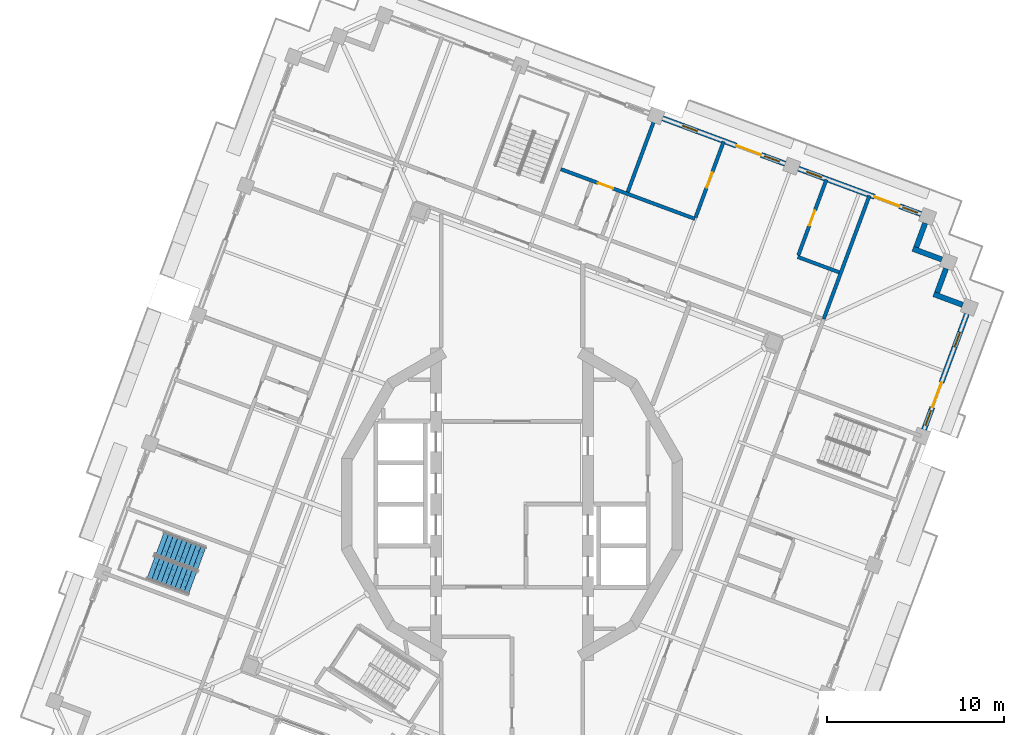
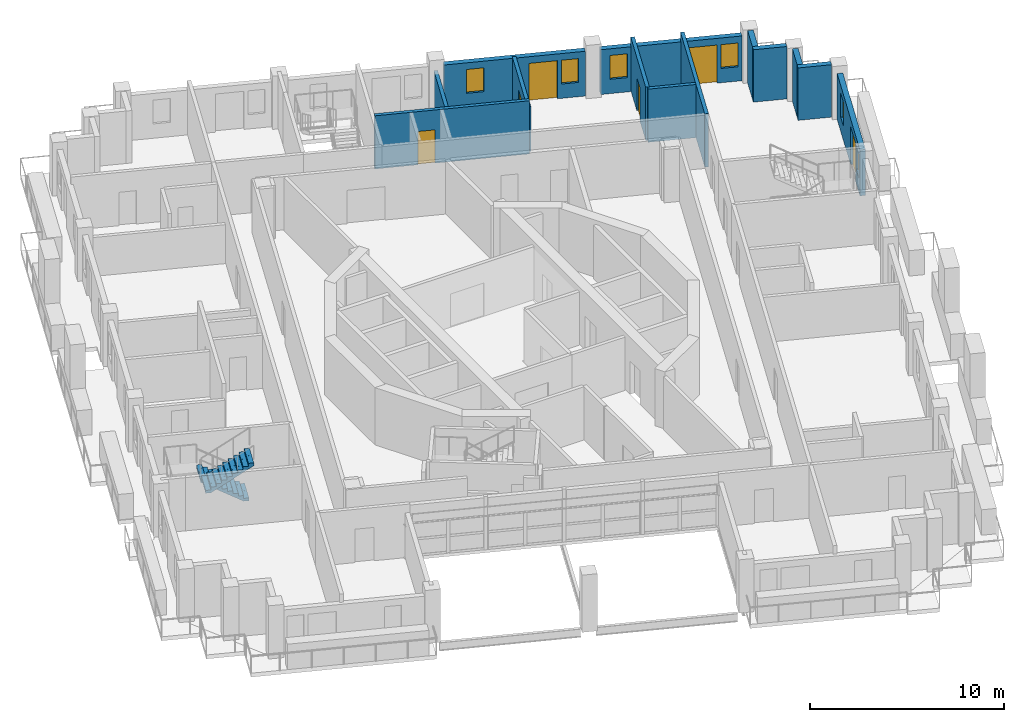
# One storey, part 11 of 19: 13 walls, 6 doors, 6 windows, 2 stair flights, 12 openings, 1 element without a shape of its own.
"""IFC4 building model written with IfcOpenShell, lengths in metres."""

from ifc_helpers import new_model, si_unit, direction, frame, frame_2d, origin, place, context, subcontext, project, spatial, polyline, rectangle, outline, extrude, material, layer, layer_set, type_object, element, fill, aggregate, save


model = new_model("IFC4")

# Units and contexts
model_context = context("Model", 3, precision=1e-05, world=origin(), true_north=direction((0.0, 1.0)))
body_context = subcontext(model_context, "Body", "Model", "MODEL_VIEW")
ifc_project = project(units=[si_unit("LENGTHUNIT", "METRE"), si_unit("AREAUNIT", "SQUARE_METRE"), si_unit("VOLUMEUNIT", "CUBIC_METRE"), si_unit("PLANEANGLEUNIT", "RADIAN"), si_unit("MASSUNIT", "GRAM", prefix="KILO")], contexts=[model_context])

# Site, building, storey
site_placement = place(None, origin())
site = spatial("IfcSite", under=ifc_project, at=site_placement, CompositionType="ELEMENT")
building_placement = place(site_placement, origin())
building = spatial("IfcBuilding", under=site, at=building_placement, Name="Cantera Rosa Tower", CompositionType="ELEMENT")
storey_placement = place(building_placement, frame((0.0, 0.0, 324.10009765625)))
storey = spatial("IfcBuildingStorey", under=building, at=storey_placement, Name="L72", CompositionType="ELEMENT", Elevation=324.10009765625)

# Walls
ifc_material_1 = material(Name="Hollow clay masonry with cantera stone cladding", Category="masonry")
ifc_layer_1 = layer(ifc_material_1, 0.300048828125)
ifc_layer_set_1 = layer_set([ifc_layer_1], Name="EW-LOGGIA 300")
wall_type_1 = type_object("IfcWallType", Name="EW-LOGGIA 300", PredefinedType="SOLIDWALL", material=ifc_layer_set_1)
wall_1_placement = place(storey_placement, frame((25.51220703125, 11.288330078125, 0.0), z_axis=(0.0, 0.0, 1.0), x_axis=(-0.937669639538, 0.34752790836, 0.0)))
element("IfcWall", 1, at=wall_1_placement, inside=storey, type_object=wall_type_1, Name="EN-L72-W25a", PredefinedType="SOLIDWALL", context=body_context, shape_type="SweptSolid", body=[
    extrude(rectangle(XDim=1.75, YDim=0.300048828125, at=frame_2d((0.875, 0.0))), origin(), (0.0, 0.0, 1.0), 3.2998046875),
])
wall_2_placement = place(storey_placement, frame((24.06396484375, 11.985107421875, 0.0), z_axis=(0.0, 0.0, 1.0), x_axis=(0.347522732201, 0.937671557958, 0.0)))
element("IfcWall", 2, at=wall_2_placement, inside=storey, type_object=wall_type_1, Name="EN-L72-W25b", PredefinedType="SOLIDWALL", context=body_context, shape_type="SweptSolid", body=[
    extrude(rectangle(XDim=1.449951171875, YDim=0.300048828125, at=frame_2d((0.72509765625, 0.0))), origin(), (0.0, 0.0, 1.0), 3.2998046875),
])
wall_3_placement = place(storey_placement, frame((24.331787109375, 13.858642578125, 0.0), z_axis=(0.0, 0.0, 1.0), x_axis=(-0.937669639538, 0.34752790836, 0.0)))
element("IfcWall", 3, at=wall_3_placement, inside=storey, type_object=wall_type_1, Name="EN-L72-W26a", PredefinedType="SOLIDWALL", context=body_context, shape_type="SweptSolid", body=[
    extrude(rectangle(XDim=1.75, YDim=0.300048828125, at=frame_2d((0.875, 0.0))), origin(), (0.0, 0.0, 1.0), 3.2998046875),
])
wall_4_placement = place(storey_placement, frame((22.883544921875, 14.555419921875, 0.0), z_axis=(0.0, 0.0, 1.0), x_axis=(0.347522732201, 0.937671557958, 0.0)))
element("IfcWall", 4, at=wall_4_placement, inside=storey, type_object=wall_type_1, Name="EN-L72-W26b", PredefinedType="SOLIDWALL", context=body_context, shape_type="SweptSolid", body=[
    extrude(rectangle(XDim=1.449951171875, YDim=0.300048828125, at=frame_2d((0.72509765625, 0.0))), origin(), (0.0, 0.0, 1.0), 3.2998046875),
])

# Wall, openings, windows, door
ifc_material_2 = material(Name="Hollow clay masonry with cantera stone cladding", Category="masonry")
ifc_layer_2 = layer(ifc_material_2, 0.300048828125)
ifc_layer_set_2 = layer_set([ifc_layer_2], Name="EW-LOGGIA 300 H2820")
wall_type_2 = type_object("IfcWallType", Name="EW-LOGGIA 300 H2820", PredefinedType="SOLIDWALL", material=ifc_layer_set_2)
wall_5_placement = place(storey_placement, frame((23.1513671875, 16.428955078125, 0.0), z_axis=(0.0, 0.0, 1.0), x_axis=(-0.937676706507, 0.347508840281, 0.0)))
wall_5 = element("IfcWall", 5, at=wall_5_placement, inside=storey, type_object=wall_type_2, Name="EN-L72-W01", PredefinedType="SOLIDWALL", context=body_context, shape_type="SweptSolid", body=[
    extrude(rectangle(XDim=7.39990234375, YDim=0.300048828125, at=frame_2d((3.699951171875, 0.0))), origin(), (0.0, 0.0, 1.0), 2.81982421875),
])
opening_1_placement = place(wall_5_placement, frame((0.199951171875, 0.0, 0.89990234375)))
opening_1 = element("IfcOpeningElement", 6, at=opening_1_placement, cuts=wall_5, Name="Opening L72-W01", PredefinedType="OPENING", context=body_context, shape_type="SweptSolid", body=[
    extrude(rectangle(XDim=0.89990234375, YDim=1.5, at=frame_2d((0.449951171875, 0.75))), frame((0.0, 0.159912109375, 0.0), z_axis=(0.0, -1.0, 0.0), x_axis=(1.0, 0.0, 0.0)), (0.0, 0.0, 1.0), 0.320068359375),
])
opening_2_placement = place(wall_5_placement, frame((1.300048828125, 0.0, 0.0)))
opening_2 = element("IfcOpeningElement", 7, at=opening_2_placement, cuts=wall_5, Name="Opening L72-TD02", PredefinedType="OPENING", context=body_context, shape_type="SweptSolid", body=[
    extrude(rectangle(XDim=1.5, YDim=2.39990234375, at=frame_2d((0.75, 1.199951171875))), frame((0.0, 0.159912109375, 0.0), z_axis=(0.0, -1.0, 0.0), x_axis=(1.0, 0.0, 0.0)), (0.0, 0.0, 1.0), 0.320068359375),
])
opening_3_placement = place(wall_5_placement, frame((6.0, 0.0, 0.89990234375)))
opening_3 = element("IfcOpeningElement", 8, at=opening_3_placement, cuts=wall_5, Name="Opening L72-W03", PredefinedType="OPENING", context=body_context, shape_type="SweptSolid", body=[
    extrude(rectangle(XDim=0.89990234375, YDim=1.5, at=frame_2d((0.449951171875, 0.75))), frame((0.0, 0.159912109375, 0.0), z_axis=(0.0, -1.0, 0.0), x_axis=(1.0, 0.0, 0.0)), (0.0, 0.0, 1.0), 0.320068359375),
])
ifc_material_3 = material(Name="Aluminium frame with clear glass", Category="aluminium")
window_type = type_object("IfcWindowType", Name="Residential window 900x1500", PartitioningType="SINGLE_PANEL", PredefinedType="WINDOW", material=ifc_material_3)
window_1_placement = place(opening_1_placement, origin())
window_1 = element("IfcWindow", 9, at=window_1_placement, inside=storey, type_object=window_type, Name="WINDOW L72-W01", OverallHeight=1.5, OverallWidth=0.89990234375, PartitioningType="SINGLE_PANEL", PredefinedType="WINDOW", context=body_context, shape_type="SweptSolid", body=[
    extrude(rectangle(XDim=0.89990234375, YDim=1.5, at=frame_2d((0.449951171875, 0.75))), frame((0.0, 0.030029296875, 0.0), z_axis=(0.0, -1.0, 0.0), x_axis=(1.0, 0.0, 0.0)), (0.0, 0.0, 1.0), 0.06005859375),
])
fill(opening_1, window_1)
window_2_placement = place(opening_3_placement, origin())
window_2 = element("IfcWindow", 10, at=window_2_placement, inside=storey, type_object=window_type, Name="WINDOW L72-W03", OverallHeight=1.5, OverallWidth=0.89990234375, PartitioningType="SINGLE_PANEL", PredefinedType="WINDOW", context=body_context, shape_type="SweptSolid", body=[
    extrude(rectangle(XDim=0.89990234375, YDim=1.5, at=frame_2d((0.449951171875, 0.75))), frame((0.0, 0.030029296875, 0.0), z_axis=(0.0, -1.0, 0.0), x_axis=(1.0, 0.0, 0.0)), (0.0, 0.0, 1.0), 0.06005859375),
])
fill(opening_3, window_2)
ifc_material_4 = material(Name="Aluminium frame with clear glass", Category="aluminium")
door_type_1 = type_object("IfcDoorType", Name="TD-R 1500x2400", OperationType="NOTDEFINED", PredefinedType="DOOR", material=ifc_material_4)
door_1_placement = place(opening_2_placement, origin())
door_1 = element("IfcDoor", 11, at=door_1_placement, inside=storey, type_object=door_type_1, Name="LOGGIA DOOR L72-TD02", OperationType="SLIDING_TO_LEFT", OverallHeight=2.39990234375, OverallWidth=1.5, PredefinedType="DOOR", context=body_context, shape_type="SweptSolid", body=[
    extrude(rectangle(XDim=1.5, YDim=2.39990234375, at=frame_2d((0.75, 1.199951171875))), frame((0.0, 0.02490234375, 0.0), z_axis=(0.0, -1.0, 0.0), x_axis=(1.0, 0.0, 0.0)), (0.0, 0.0, 1.0), 0.050048828125),
])
fill(opening_2, door_1)

wall_6_placement = place(storey_placement, frame((15.46240234375, 19.2783203125, 0.0), z_axis=(0.0, 0.0, 1.0), x_axis=(-0.937680690562, 0.34749808999, 0.0)))
wall_6 = element("IfcWall", 12, at=wall_6_placement, inside=storey, type_object=wall_type_2, Name="EN-L72-W02", PredefinedType="SOLIDWALL", context=body_context, shape_type="SweptSolid", body=[
    extrude(rectangle(XDim=7.400146484375, YDim=0.300048828125, at=frame_2d((3.7001953125, 0.0))), origin(), (0.0, 0.0, 1.0), 2.81982421875),
])
opening_4_placement = place(wall_6_placement, frame((0.35009765625, 0.0, 0.89990234375)))
opening_4 = element("IfcOpeningElement", 13, at=opening_4_placement, cuts=wall_6, Name="Opening L72-W04", PredefinedType="OPENING", context=body_context, shape_type="SweptSolid", body=[
    extrude(rectangle(XDim=0.89990234375, YDim=1.5, at=frame_2d((0.449951171875, 0.75))), frame((0.0, 0.159912109375, 0.0), z_axis=(0.0, -1.0, 0.0), x_axis=(1.0, 0.0, 0.0)), (0.0, 0.0, 1.0), 0.320068359375),
])
opening_5_placement = place(wall_6_placement, frame((1.449951171875, 0.0, 0.0)))
opening_5 = element("IfcOpeningElement", 14, at=opening_5_placement, cuts=wall_6, Name="Opening L72-TD05", PredefinedType="OPENING", context=body_context, shape_type="SweptSolid", body=[
    extrude(rectangle(XDim=1.5, YDim=2.39990234375, at=frame_2d((0.75, 1.199951171875))), frame((0.0, 0.159912109375, 0.0), z_axis=(0.0, -1.0, 0.0), x_axis=(1.0, 0.0, 0.0)), (0.0, 0.0, 1.0), 0.320068359375),
])
opening_6_placement = place(wall_6_placement, frame((5.300048828125, 0.0, 0.89990234375)))
opening_6 = element("IfcOpeningElement", 15, at=opening_6_placement, cuts=wall_6, Name="Opening L72-W06", PredefinedType="OPENING", context=body_context, shape_type="SweptSolid", body=[
    extrude(rectangle(XDim=0.89990234375, YDim=1.5, at=frame_2d((0.449951171875, 0.75))), frame((0.0, 0.159912109375, 0.0), z_axis=(0.0, -1.0, 0.0), x_axis=(1.0, 0.0, 0.0)), (0.0, 0.0, 1.0), 0.320068359375),
])
window_3_placement = place(opening_4_placement, origin())
window_3 = element("IfcWindow", 16, at=window_3_placement, inside=storey, type_object=window_type, Name="WINDOW L72-W04", OverallHeight=1.5, OverallWidth=0.89990234375, PartitioningType="SINGLE_PANEL", PredefinedType="WINDOW", context=body_context, shape_type="SweptSolid", body=[
    extrude(rectangle(XDim=0.89990234375, YDim=1.5, at=frame_2d((0.449951171875, 0.75))), frame((0.0, 0.030029296875, 0.0), z_axis=(0.0, -1.0, 0.0), x_axis=(1.0, 0.0, 0.0)), (0.0, 0.0, 1.0), 0.06005859375),
])
fill(opening_4, window_3)
window_4_placement = place(opening_6_placement, origin())
window_4 = element("IfcWindow", 17, at=window_4_placement, inside=storey, type_object=window_type, Name="WINDOW L72-W06", OverallHeight=1.5, OverallWidth=0.89990234375, PartitioningType="SINGLE_PANEL", PredefinedType="WINDOW", context=body_context, shape_type="SweptSolid", body=[
    extrude(rectangle(XDim=0.89990234375, YDim=1.5, at=frame_2d((0.449951171875, 0.75))), frame((0.0, 0.030029296875, 0.0), z_axis=(0.0, -1.0, 0.0), x_axis=(1.0, 0.0, 0.0)), (0.0, 0.0, 1.0), 0.06005859375),
])
fill(opening_6, window_4)
door_2_placement = place(opening_5_placement, origin())
door_2 = element("IfcDoor", 18, at=door_2_placement, inside=storey, type_object=door_type_1, Name="LOGGIA DOOR L72-TD05", OperationType="SLIDING_TO_LEFT", OverallHeight=2.39990234375, OverallWidth=1.5, PredefinedType="DOOR", context=body_context, shape_type="SweptSolid", body=[
    extrude(rectangle(XDim=1.5, YDim=2.39990234375, at=frame_2d((0.75, 1.199951171875))), frame((0.0, 0.02490234375, 0.0), z_axis=(0.0, -1.0, 0.0), x_axis=(1.0, 0.0, 0.0)), (0.0, 0.0, 1.0), 0.050048828125),
])
fill(opening_5, door_2)

ifc_material_5 = material(Name="Hollow clay masonry with cantera stone cladding", Category="masonry")
ifc_layer_3 = layer(ifc_material_5, 0.300048828125)
ifc_layer_set_3 = layer_set([ifc_layer_3], Name="EW-LOGGIA 300 H2890")
wall_type_3 = type_object("IfcWallType", Name="EW-LOGGIA 300 H2890", PredefinedType="SOLIDWALL", material=ifc_layer_set_3)
wall_7_placement = place(storey_placement, frame((23.322998046875, 4.229248046875, 0.0), z_axis=(0.0, 0.0, 1.0), x_axis=(0.347460165909, 0.937694744097, 0.0)))
wall_7 = element("IfcWall", 19, at=wall_7_placement, inside=storey, type_object=wall_type_3, Name="EN-L72-W24", PredefinedType="SOLIDWALL", context=body_context, shape_type="SweptSolid", body=[
    extrude(rectangle(XDim=6.97998046875, YDim=0.300048828125, at=frame_2d((3.489990234375, 0.0))), origin(), (0.0, 0.0, 1.0), 2.889892578125),
])
opening_7_placement = place(wall_7_placement, frame((0.2451171875, 0.0, 0.89990234375)))
opening_7 = element("IfcOpeningElement", 20, at=opening_7_placement, cuts=wall_7, Name="Opening L72-W46", PredefinedType="OPENING", context=body_context, shape_type="SweptSolid", body=[
    extrude(rectangle(XDim=0.89990234375, YDim=1.5, at=frame_2d((0.449951171875, 0.75))), frame((0.0, 0.159912109375, 0.0), z_axis=(0.0, -1.0, 0.0), x_axis=(1.0, 0.0, 0.0)), (0.0, 0.0, 1.0), 0.320068359375),
])
opening_8_placement = place(wall_7_placement, frame((1.344970703125, 0.0, 0.0)))
opening_8 = element("IfcOpeningElement", 21, at=opening_8_placement, cuts=wall_7, Name="Opening L72-TD47", PredefinedType="OPENING", context=body_context, shape_type="SweptSolid", body=[
    extrude(rectangle(XDim=1.5, YDim=2.39990234375, at=frame_2d((0.75, 1.199951171875))), frame((0.0, 0.159912109375, 0.0), z_axis=(0.0, -1.0, 0.0), x_axis=(1.0, 0.0, 0.0)), (0.0, 0.0, 1.0), 0.320068359375),
])
opening_9_placement = place(wall_7_placement, frame((4.985107421875, 0.0, 0.89990234375)))
opening_9 = element("IfcOpeningElement", 22, at=opening_9_placement, cuts=wall_7, Name="Opening L72-W48", PredefinedType="OPENING", context=body_context, shape_type="SweptSolid", body=[
    extrude(rectangle(XDim=0.89990234375, YDim=1.5, at=frame_2d((0.449951171875, 0.75))), frame((0.0, 0.159912109375, 0.0), z_axis=(0.0, -1.0, 0.0), x_axis=(1.0, 0.0, 0.0)), (0.0, 0.0, 1.0), 0.320068359375),
])
window_5_placement = place(opening_7_placement, origin())
window_5 = element("IfcWindow", 23, at=window_5_placement, inside=storey, type_object=window_type, Name="WINDOW L72-W46", OverallHeight=1.5, OverallWidth=0.89990234375, PartitioningType="SINGLE_PANEL", PredefinedType="WINDOW", context=body_context, shape_type="SweptSolid", body=[
    extrude(rectangle(XDim=0.89990234375, YDim=1.5, at=frame_2d((0.449951171875, 0.75))), frame((0.0, 0.030029296875, 0.0), z_axis=(0.0, -1.0, 0.0), x_axis=(1.0, 0.0, 0.0)), (0.0, 0.0, 1.0), 0.06005859375),
])
fill(opening_7, window_5)
window_6_placement = place(opening_9_placement, origin())
window_6 = element("IfcWindow", 24, at=window_6_placement, inside=storey, type_object=window_type, Name="WINDOW L72-W48", OverallHeight=1.5, OverallWidth=0.89990234375, PartitioningType="SINGLE_PANEL", PredefinedType="WINDOW", context=body_context, shape_type="SweptSolid", body=[
    extrude(rectangle(XDim=0.89990234375, YDim=1.5, at=frame_2d((0.449951171875, 0.75))), frame((0.0, 0.030029296875, 0.0), z_axis=(0.0, -1.0, 0.0), x_axis=(1.0, 0.0, 0.0)), (0.0, 0.0, 1.0), 0.06005859375),
])
fill(opening_9, window_6)
door_3_placement = place(opening_8_placement, origin())
door_3 = element("IfcDoor", 25, at=door_3_placement, inside=storey, type_object=door_type_1, Name="LOGGIA DOOR L72-TD47", OperationType="SLIDING_TO_LEFT", OverallHeight=2.39990234375, OverallWidth=1.5, PredefinedType="DOOR", context=body_context, shape_type="SweptSolid", body=[
    extrude(rectangle(XDim=1.5, YDim=2.39990234375, at=frame_2d((0.75, 1.199951171875))), frame((0.0, 0.02490234375, 0.0), z_axis=(0.0, -1.0, 0.0), x_axis=(1.0, 0.0, 0.0)), (0.0, 0.0, 1.0), 0.050048828125),
])
fill(opening_8, door_3)

# Wall
ifc_material_6 = material(Name="Gypsum board partition")
ifc_layer_4 = layer(ifc_material_6, 0.199951171875)
ifc_layer_set_4 = layer_set([ifc_layer_4], Name="PARTITION 200 H2450")
wall_type_4 = type_object("IfcWallType", Name="PARTITION 200 H2450", PredefinedType="PARTITIONING", material=ifc_layer_set_4)
wall_8_placement = place(storey_placement, frame((8.137939453125, 21.960693359375, 0.0), z_axis=(0.0, 0.0, 1.0), x_axis=(-0.347450063389, -0.937698487495, 0.0)))
element("IfcWall", 26, at=wall_8_placement, inside=storey, type_object=wall_type_4, Name="PARTITION L72-087", PredefinedType="PARTITIONING", context=body_context, shape_type="SweptSolid", body=[
    extrude(rectangle(XDim=4.570068359375, YDim=0.199951171875, at=frame_2d((2.28515625, 0.0))), origin(), (0.0, 0.0, 1.0), 2.449951171875),
])

# Wall, opening, door
ifc_material_7 = material(Name="Gypsum board partition")
ifc_layer_5 = layer(ifc_material_7, 0.199951171875)
ifc_layer_set_5 = layer_set([ifc_layer_5], Name="PARTITION 200 H2850")
wall_type_5 = type_object("IfcWallType", Name="PARTITION 200 H2850", PredefinedType="PARTITIONING", material=ifc_layer_set_5)
wall_9_placement = place(storey_placement, frame((11.982421875, 20.535888671875, 0.0), z_axis=(0.0, 0.0, 1.0), x_axis=(-0.347467468938, -0.937692037947, 0.0)))
wall_9 = element("IfcWall", 27, at=wall_9_placement, inside=storey, type_object=wall_type_5, Name="PARTITION L72-091", PredefinedType="PARTITIONING", context=body_context, shape_type="SweptSolid", body=[
    extrude(rectangle(XDim=4.56982421875, YDim=0.199951171875, at=frame_2d((2.284912109375, 0.0))), origin(), (0.0, 0.0, 1.0), 2.849853515625),
])
opening_10_placement = place(wall_9_placement, frame((1.8701171875, 0.0, 0.0)))
opening_10 = element("IfcOpeningElement", 28, at=opening_10_placement, cuts=wall_9, Name="Opening L72-024", PredefinedType="OPENING", context=body_context, shape_type="SweptSolid", body=[
    extrude(rectangle(XDim=0.89990234375, YDim=2.10009765625, at=frame_2d((0.449951171875, 1.050048828125))), frame((0.0, 0.10986328125, 0.0), z_axis=(0.0, -1.0, 0.0), x_axis=(1.0, 0.0, 0.0)), (0.0, 0.0, 1.0), 0.219970703125),
])
ifc_material_8 = material(Name="Timber door leaf", Category="wood")
door_type_2 = type_object("IfcDoorType", Name="ROOM DOOR 900x2100", OperationType="NOTDEFINED", PredefinedType="DOOR", material=ifc_material_8)
door_4_placement = place(opening_10_placement, origin())
door_4 = element("IfcDoor", 29, at=door_4_placement, inside=storey, type_object=door_type_2, Name="DOOR L72-024", OperationType="NOTDEFINED", OverallHeight=2.10009765625, OverallWidth=0.89990234375, PredefinedType="DOOR", context=body_context, shape_type="SweptSolid", body=[
    extrude(rectangle(XDim=0.89990234375, YDim=2.10009765625, at=frame_2d((0.449951171875, 1.050048828125))), frame((0.0, 0.02490234375, 0.0), z_axis=(0.0, -1.0, 0.0), x_axis=(1.0, 0.0, 0.0)), (0.0, 0.0, 1.0), 0.050048828125),
])
fill(opening_10, door_4)

ifc_material_9 = material(Name="Gypsum board partition")
ifc_layer_6 = layer(ifc_material_9, 0.199951171875)
ifc_layer_set_6 = layer_set([ifc_layer_6], Name="PARTITION 200 H3350")
wall_type_6 = type_object("IfcWallType", Name="PARTITION 200 H3350", PredefinedType="PARTITIONING", material=ifc_layer_set_6)
wall_10_placement = place(storey_placement, frame((2.764404296875, 18.9716796875, 0.0), z_axis=(0.0, 0.0, 1.0), x_axis=(0.937685847618, -0.347484173996, 0.0)))
wall_10 = element("IfcWall", 30, at=wall_10_placement, inside=storey, type_object=wall_type_6, Name="PARTITION L72-066", PredefinedType="PARTITIONING", context=body_context, shape_type="SweptSolid", body=[
    extrude(rectangle(XDim=8.10009765625, YDim=0.199951171875, at=frame_2d((4.050048828125, 0.0))), origin(), (0.0, 0.0, 1.0), 3.349853515625),
])
opening_11_placement = place(wall_10_placement, frame((2.25, 0.0, 0.0)))
opening_11 = element("IfcOpeningElement", 31, at=opening_11_placement, cuts=wall_10, Name="Opening L72-023", PredefinedType="OPENING", context=body_context, shape_type="SweptSolid", body=[
    extrude(rectangle(XDim=0.89990234375, YDim=2.10009765625, at=frame_2d((0.449951171875, 1.050048828125))), frame((0.0, 0.10986328125, 0.0), z_axis=(0.0, -1.0, 0.0), x_axis=(1.0, 0.0, 0.0)), (0.0, 0.0, 1.0), 0.219970703125),
])
door_5_placement = place(opening_11_placement, origin())
door_5 = element("IfcDoor", 32, at=door_5_placement, inside=storey, type_object=door_type_2, Name="DOOR L72-023", OperationType="NOTDEFINED", OverallHeight=2.10009765625, OverallWidth=0.89990234375, PredefinedType="DOOR", context=body_context, shape_type="SweptSolid", body=[
    extrude(rectangle(XDim=0.89990234375, YDim=2.10009765625, at=frame_2d((0.449951171875, 1.050048828125))), frame((0.0, 0.02490234375, 0.0), z_axis=(0.0, -1.0, 0.0), x_axis=(1.0, 0.0, 0.0)), (0.0, 0.0, 1.0), 0.050048828125),
])
fill(opening_11, door_5)

# Wall
wall_11_placement = place(storey_placement, frame((16.17333984375, 14.002685546875, 0.0), z_axis=(0.0, 0.0, 1.0), x_axis=(0.937662740925, -0.347546521032, 0.0)))
element("IfcWall", 33, at=wall_11_placement, inside=storey, type_object=wall_type_6, Name="PARTITION L72-103", PredefinedType="PARTITIONING", context=body_context, shape_type="SweptSolid", body=[
    extrude(rectangle(XDim=2.5, YDim=0.199951171875, at=frame_2d((1.25, 0.0))), origin(), (0.0, 0.0, 1.0), 3.349853515625),
])

# Wall, opening, door
wall_12_placement = place(storey_placement, frame((17.796142578125, 18.381591796875, 0.0), z_axis=(0.0, 0.0, 1.0), x_axis=(-0.347450063389, -0.937698487495, 0.0)))
wall_12 = element("IfcWall", 34, at=wall_12_placement, inside=storey, type_object=wall_type_6, Name="PARTITION L72-105", PredefinedType="PARTITIONING", context=body_context, shape_type="SweptSolid", body=[
    extrude(rectangle(XDim=4.570068359375, YDim=0.199951171875, at=frame_2d((2.28515625, 0.0))), origin(), (0.0, 0.0, 1.0), 3.349853515625),
])
opening_12_placement = place(wall_12_placement, frame((1.8701171875, 0.0, 0.0)))
opening_12 = element("IfcOpeningElement", 35, at=opening_12_placement, cuts=wall_12, Name="Opening L72-025", PredefinedType="OPENING", context=body_context, shape_type="SweptSolid", body=[
    extrude(rectangle(XDim=0.89990234375, YDim=2.10009765625, at=frame_2d((0.449951171875, 1.050048828125))), frame((0.0, 0.10986328125, 0.0), z_axis=(0.0, -1.0, 0.0), x_axis=(1.0, 0.0, 0.0)), (0.0, 0.0, 1.0), 0.219970703125),
])
door_6_placement = place(opening_12_placement, origin())
door_6 = element("IfcDoor", 36, at=door_6_placement, inside=storey, type_object=door_type_2, Name="DOOR L72-025", OperationType="NOTDEFINED", OverallHeight=2.10009765625, OverallWidth=0.89990234375, PredefinedType="DOOR", context=body_context, shape_type="SweptSolid", body=[
    extrude(rectangle(XDim=0.89990234375, YDim=2.10009765625, at=frame_2d((0.449951171875, 1.050048828125))), frame((0.0, 0.02490234375, 0.0), z_axis=(0.0, -1.0, 0.0), x_axis=(1.0, 0.0, 0.0)), (0.0, 0.0, 1.0), 0.050048828125),
])
fill(opening_12, door_6)

# Wall
ifc_material_10 = material(Name="Gypsum board partition")
ifc_layer_7 = layer(ifc_material_10, 0.199951171875)
ifc_layer_set_7 = layer_set([ifc_layer_7], Name="PARTY WALL 200 H3350")
wall_type_7 = type_object("IfcWallType", Name="PARTY WALL 200 H3350", PredefinedType="PARTITIONING", material=ifc_layer_set_7)
wall_13_placement = place(storey_placement, frame((20.234130859375, 17.47802734375, 0.0), z_axis=(0.0, 0.0, 1.0), x_axis=(-0.347475519739, -0.937689054635, 0.0)))
element("IfcWall", 37, at=wall_13_placement, inside=storey, type_object=wall_type_7, Name="PARTY WALL L72-106", PredefinedType="PARTITIONING", context=body_context, shape_type="SweptSolid", body=[
    extrude(rectangle(XDim=7.44970703125, YDim=0.199951171875, at=frame_2d((3.724853515625, 0.0))), origin(), (0.0, 0.0, 1.0), 3.349853515625),
])

# Stair, stair flights
ifc_material_11 = material(Name="Concrete C35/45", Category="concrete")
stair_type = type_object("IfcStairType", Name="EXIT STAIR 1350 DOGLEG", PredefinedType="HALF_TURN_STAIR", material=ifc_material_11)
stair_placement = place(storey_placement, origin())
stair = element("IfcStair", 38, at=stair_placement, inside=storey, type_object=stair_type, Name="L72 ST-63", PredefinedType="HALF_TURN_STAIR")
ifc_material_12 = material(Name="Concrete C35/45", Category="concrete")
stair_flight_type = type_object("IfcStairFlightType", Name="STAIR FLIGHT 1350 R20x180", PredefinedType="STRAIGHT", material=ifc_material_12)
stair_flight_1_placement = place(storey_placement, frame((-17.55908203125, -3.064453125, 0.0), z_axis=(0.0, 0.0, 1.0), x_axis=(-0.937686938944, 0.347481229039, 0.0)))
stair_flight_1 = element("IfcStairFlight", 39, at=stair_flight_1_placement, type_object=stair_flight_type, Name="ST-63 flight 1", NumberOfRisers=10, NumberOfTreads=9, PredefinedType="STRAIGHT", RiserHeight=0.18, TreadLength=0.28, context=body_context, shape_type="SweptSolid", body=[
    extrude(outline(polyline([(0.0, 0.0), (0.0, 0.179931640625), (0.280029296875, 0.179931640625), (0.280029296875, 0.360107421875), (0.56005859375, 0.360107421875), (0.56005859375, 0.5400390625), (0.840087890625, 0.5400390625), (0.840087890625, 0.719970703125), (1.1201171875, 0.719970703125), (1.1201171875, 0.89990234375), (1.39990234375, 0.89990234375), (1.39990234375, 1.080078125), (1.679931640625, 1.080078125), (1.679931640625, 1.260009765625), (1.9599609375, 1.260009765625), (1.9599609375, 1.43994140625), (2.239990234375, 1.43994140625), (2.239990234375, 1.6201171875), (2.52001953125, 1.6201171875), (2.52001953125, 1.800048828125), (2.52001953125, 1.44189453125), (0.277099609375, 0.0), (0.0, 0.0)])), frame((0.0, 0.675048828125, 0.0), z_axis=(0.0, -1.0, 0.0), x_axis=(1.0, 0.0, 0.0)), (0.0, 0.0, 1.0), 0.3359375),
    extrude(outline(polyline([(0.0, 0.0), (0.0, 0.179931640625), (0.280029296875, 0.179931640625), (0.280029296875, 0.360107421875), (0.56005859375, 0.360107421875), (0.56005859375, 0.5400390625), (0.840087890625, 0.5400390625), (0.840087890625, 0.719970703125), (1.1201171875, 0.719970703125), (1.1201171875, 0.89990234375), (1.39990234375, 0.89990234375), (1.39990234375, 1.080078125), (1.679931640625, 1.080078125), (1.679931640625, 1.260009765625), (1.9599609375, 1.260009765625), (1.9599609375, 1.43994140625), (2.239990234375, 1.43994140625), (2.239990234375, 1.6201171875), (2.52001953125, 1.6201171875), (2.52001953125, 1.800048828125), (2.52001953125, 1.44189453125), (0.277099609375, 0.0), (0.0, 0.0)])), frame((0.0, 0.337158203125, 0.0), z_axis=(0.0, -1.0, 0.0), x_axis=(1.0, 0.0, 0.0)), (0.0, 0.0, 1.0), 0.3359375),
    extrude(outline(polyline([(0.0, 0.0), (0.0, 0.179931640625), (0.280029296875, 0.179931640625), (0.280029296875, 0.360107421875), (0.56005859375, 0.360107421875), (0.56005859375, 0.5400390625), (0.840087890625, 0.5400390625), (0.840087890625, 0.719970703125), (1.1201171875, 0.719970703125), (1.1201171875, 0.89990234375), (1.39990234375, 0.89990234375), (1.39990234375, 1.080078125), (1.679931640625, 1.080078125), (1.679931640625, 1.260009765625), (1.9599609375, 1.260009765625), (1.9599609375, 1.43994140625), (2.239990234375, 1.43994140625), (2.239990234375, 1.6201171875), (2.52001953125, 1.6201171875), (2.52001953125, 1.800048828125), (2.52001953125, 1.44189453125), (0.277099609375, 0.0), (0.0, 0.0)])), frame((0.0, -0.000732421875, 0.0), z_axis=(0.0, -1.0, 0.0), x_axis=(1.0, 0.0, 0.0)), (0.0, 0.0, 1.0), 0.3359375),
    extrude(outline(polyline([(0.0, 0.0), (0.0, 0.179931640625), (0.280029296875, 0.179931640625), (0.280029296875, 0.360107421875), (0.56005859375, 0.360107421875), (0.56005859375, 0.5400390625), (0.840087890625, 0.5400390625), (0.840087890625, 0.719970703125), (1.1201171875, 0.719970703125), (1.1201171875, 0.89990234375), (1.39990234375, 0.89990234375), (1.39990234375, 1.080078125), (1.679931640625, 1.080078125), (1.679931640625, 1.260009765625), (1.9599609375, 1.260009765625), (1.9599609375, 1.43994140625), (2.239990234375, 1.43994140625), (2.239990234375, 1.6201171875), (2.52001953125, 1.6201171875), (2.52001953125, 1.800048828125), (2.52001953125, 1.44189453125), (0.277099609375, 0.0), (0.0, 0.0)])), frame((0.0, -0.338623046875, 0.0), z_axis=(0.0, -1.0, 0.0), x_axis=(1.0, 0.0, 0.0)), (0.0, 0.0, 1.0), 0.3359375),
])
stair_flight_2_placement = place(storey_placement, frame((-20.443115234375, -3.595458984375, 1.7998046875), z_axis=(0.0, 0.0, 1.0), x_axis=(0.937686938944, -0.347481229039, 0.0)))
stair_flight_2 = element("IfcStairFlight", 40, at=stair_flight_2_placement, type_object=stair_flight_type, Name="ST-63 flight 2", NumberOfRisers=10, NumberOfTreads=9, PredefinedType="STRAIGHT", RiserHeight=0.18, TreadLength=0.28, context=body_context, shape_type="SweptSolid", body=[
    extrude(outline(polyline([(0.0, 0.0), (0.0, 0.179931640625), (0.280029296875, 0.179931640625), (0.280029296875, 0.360107421875), (0.56005859375, 0.360107421875), (0.56005859375, 0.5400390625), (0.840087890625, 0.5400390625), (0.840087890625, 0.719970703125), (1.1201171875, 0.719970703125), (1.1201171875, 0.89990234375), (1.39990234375, 0.89990234375), (1.39990234375, 1.080078125), (1.679931640625, 1.080078125), (1.679931640625, 1.260009765625), (1.9599609375, 1.260009765625), (1.9599609375, 1.43994140625), (2.239990234375, 1.43994140625), (2.239990234375, 1.6201171875), (2.52001953125, 1.6201171875), (2.52001953125, 1.800048828125), (2.52001953125, 1.44189453125), (0.277099609375, 0.0), (0.0, 0.0)])), frame((0.0, 0.675048828125, 0.0), z_axis=(0.0, -1.0, 0.0), x_axis=(1.0, 0.0, 0.0)), (0.0, 0.0, 1.0), 0.3359375),
    extrude(outline(polyline([(0.0, 0.0), (0.0, 0.179931640625), (0.280029296875, 0.179931640625), (0.280029296875, 0.360107421875), (0.56005859375, 0.360107421875), (0.56005859375, 0.5400390625), (0.840087890625, 0.5400390625), (0.840087890625, 0.719970703125), (1.1201171875, 0.719970703125), (1.1201171875, 0.89990234375), (1.39990234375, 0.89990234375), (1.39990234375, 1.080078125), (1.679931640625, 1.080078125), (1.679931640625, 1.260009765625), (1.9599609375, 1.260009765625), (1.9599609375, 1.43994140625), (2.239990234375, 1.43994140625), (2.239990234375, 1.6201171875), (2.52001953125, 1.6201171875), (2.52001953125, 1.800048828125), (2.52001953125, 1.44189453125), (0.277099609375, 0.0), (0.0, 0.0)])), frame((0.0, 0.337158203125, 0.0), z_axis=(0.0, -1.0, 0.0), x_axis=(1.0, 0.0, 0.0)), (0.0, 0.0, 1.0), 0.3359375),
    extrude(outline(polyline([(0.0, 0.0), (0.0, 0.179931640625), (0.280029296875, 0.179931640625), (0.280029296875, 0.360107421875), (0.56005859375, 0.360107421875), (0.56005859375, 0.5400390625), (0.840087890625, 0.5400390625), (0.840087890625, 0.719970703125), (1.1201171875, 0.719970703125), (1.1201171875, 0.89990234375), (1.39990234375, 0.89990234375), (1.39990234375, 1.080078125), (1.679931640625, 1.080078125), (1.679931640625, 1.260009765625), (1.9599609375, 1.260009765625), (1.9599609375, 1.43994140625), (2.239990234375, 1.43994140625), (2.239990234375, 1.6201171875), (2.52001953125, 1.6201171875), (2.52001953125, 1.800048828125), (2.52001953125, 1.44189453125), (0.277099609375, 0.0), (0.0, 0.0)])), frame((0.0, -0.000732421875, 0.0), z_axis=(0.0, -1.0, 0.0), x_axis=(1.0, 0.0, 0.0)), (0.0, 0.0, 1.0), 0.3359375),
    extrude(outline(polyline([(0.0, 0.0), (0.0, 0.179931640625), (0.280029296875, 0.179931640625), (0.280029296875, 0.360107421875), (0.56005859375, 0.360107421875), (0.56005859375, 0.5400390625), (0.840087890625, 0.5400390625), (0.840087890625, 0.719970703125), (1.1201171875, 0.719970703125), (1.1201171875, 0.89990234375), (1.39990234375, 0.89990234375), (1.39990234375, 1.080078125), (1.679931640625, 1.080078125), (1.679931640625, 1.260009765625), (1.9599609375, 1.260009765625), (1.9599609375, 1.43994140625), (2.239990234375, 1.43994140625), (2.239990234375, 1.6201171875), (2.52001953125, 1.6201171875), (2.52001953125, 1.800048828125), (2.52001953125, 1.44189453125), (0.277099609375, 0.0), (0.0, 0.0)])), frame((0.0, -0.338623046875, 0.0), z_axis=(0.0, -1.0, 0.0), x_axis=(1.0, 0.0, 0.0)), (0.0, 0.0, 1.0), 0.3359375),
])
aggregate(stair, [stair_flight_1, stair_flight_2])

save(model, "model.ifc")
